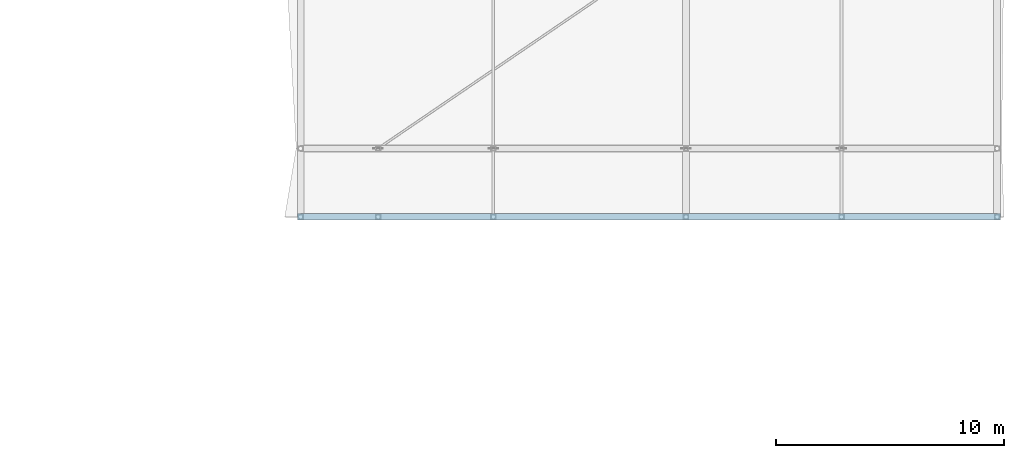
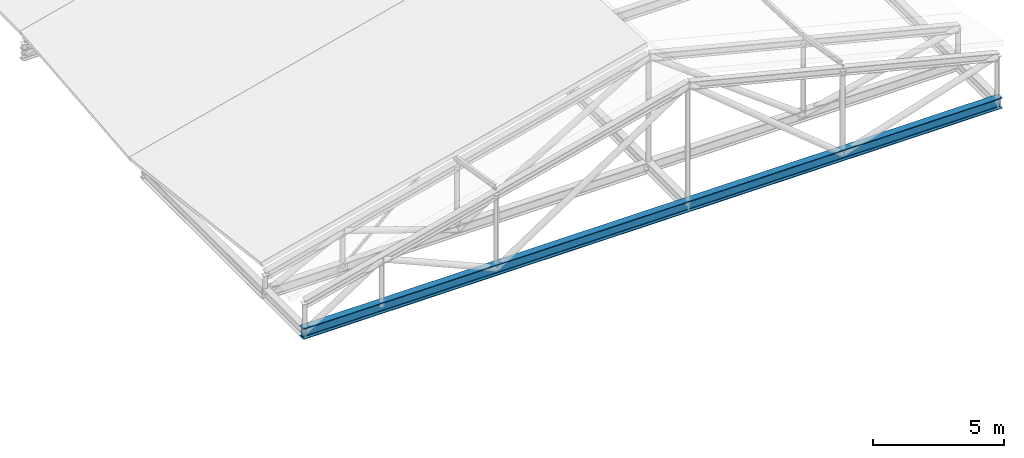
# One storey, part 26 of 56: 1 beam.
"""IFC4 building model written with IfcOpenShell, lengths in metres."""

from ifc_helpers import new_model, si_unit, direction, frame, origin, origin_2d, place, context, subcontext, project, spatial, i_section, extrude, material, material_profile, profile_set, type_object, element, save


model = new_model("IFC4")

# Units and contexts
model_context = context("Model", 3, precision=1e-05, world=origin(), true_north=direction((0.0, 1.0)))
body_context = subcontext(model_context, "Body", "Model", "MODEL_VIEW")
ifc_project = project(units=[si_unit("LENGTHUNIT", "METRE"), si_unit("AREAUNIT", "SQUARE_METRE"), si_unit("VOLUMEUNIT", "CUBIC_METRE"), si_unit("PLANEANGLEUNIT", "RADIAN"), si_unit("MASSUNIT", "GRAM", prefix="KILO")], contexts=[model_context])

# Site, building, storey
site_placement = place(None, origin())
site = spatial("IfcSite", under=ifc_project, at=site_placement, CompositionType="ELEMENT")
building_placement = place(site_placement, origin())
building = spatial("IfcBuilding", under=site, at=building_placement, Name="Bozkorgan Art Gallery", CompositionType="ELEMENT")
storey_placement = place(building_placement, frame((0.0, 0.0, 24.0)))
storey = spatial("IfcBuildingStorey", under=building, at=storey_placement, Name="L05", CompositionType="ELEMENT", Elevation=24.0)

# Beam
ifc_material = material(Name="Steel S355J2", Category="steel")
ifc_material_profile = material_profile(ifc_material, i_section(OverallWidth=0.300048828125, OverallDepth=0.5, WebThickness=0.014404296875, FlangeThickness=0.028076171875, FilletRadius=0.027099609375, at=origin_2d()), Name="HEB 500")
ifc_profile_set = profile_set([ifc_material_profile], Name="Steel S355J2")
beam_type = type_object("IfcBeamType", Name="BEAM-TO-52", PredefinedType="BEAM", material=ifc_profile_set)
beam_placement = place(storey_placement, frame((133.4599609375, 63.0, 0.25), z_axis=(1.0, 0.0, 0.0), x_axis=(0.0, 1.0, 0.0)))
element("IfcBeam", 1, at=beam_placement, inside=storey, type_object=beam_type, Name="ROOF-V5-MAIN overhang fascia truss 1 bottom chord", PredefinedType="BEAM", context=body_context, shape_type="SweptSolid", body=[
    extrude(i_section(OverallWidth=0.300048828125, OverallDepth=0.5, WebThickness=0.014404296875, FlangeThickness=0.028076171875, FilletRadius=0.027099609375, at=origin_2d()), origin(), (0.0, 0.0, 1.0), 30.830078125),
])

save(model, "model.ifc")
